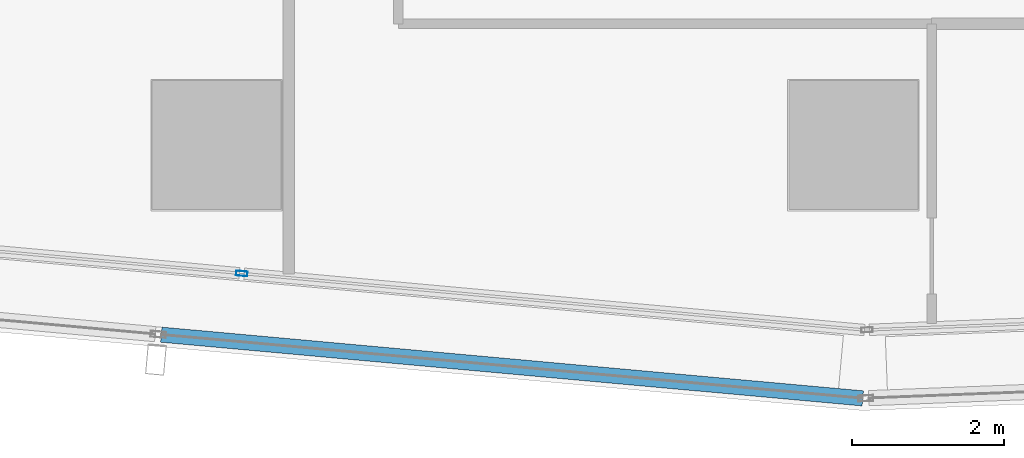
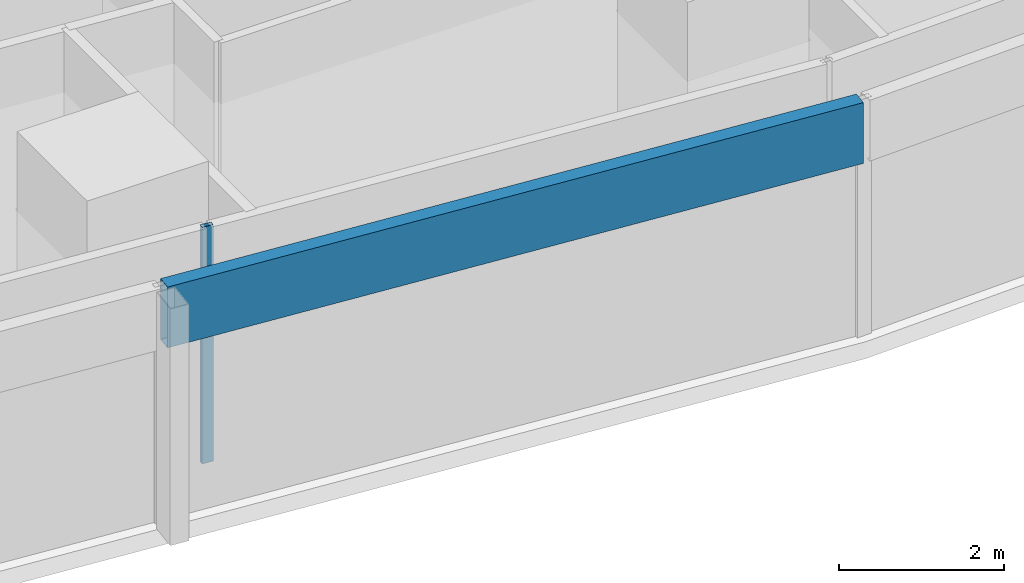
# One storey, part 3 of 40: 2 members, 2 elements without a shape of their own.
"""IFC4 building model written with IfcOpenShell, lengths in metres."""

from ifc_helpers import new_model, si_unit, direction, frame, origin, origin_2d, place, context, subcontext, project, spatial, hollow_rectangle, extrude, material, material_profile, profile_set, type_object, element, aggregate, save


model = new_model("IFC4")

# Units and contexts
model_context = context("Model", 3, precision=1e-05, world=origin(), true_north=direction((0.0, 1.0)))
body_context = subcontext(model_context, "Body", "Model", "MODEL_VIEW")
ifc_project = project(units=[si_unit("LENGTHUNIT", "METRE"), si_unit("AREAUNIT", "SQUARE_METRE"), si_unit("VOLUMEUNIT", "CUBIC_METRE"), si_unit("PLANEANGLEUNIT", "RADIAN"), si_unit("MASSUNIT", "GRAM", prefix="KILO")], contexts=[model_context])

# Site, building, storey
site_placement = place(None, origin())
site = spatial("IfcSite", under=ifc_project, at=site_placement, CompositionType="ELEMENT")
building_placement = place(site_placement, origin())
building = spatial("IfcBuilding", under=site, at=building_placement, Name="Rekha Terrace Tower", CompositionType="ELEMENT")
storey_placement = place(building_placement, frame((0.0, 0.0, 102.800048828125)))
storey = spatial("IfcBuildingStorey", under=building, at=storey_placement, Name="L25", CompositionType="ELEMENT", Elevation=102.800048828125)

# Curtain wall, member
ifc_material_1 = material(Name="Aluminium framing", Category="aluminium")
curtain_wall_type_1 = type_object("IfcCurtainWallType", Name="CW1 double skin inner glazing", PredefinedType="USERDEFINED", material=ifc_material_1)
curtain_wall_1_placement = place(storey_placement, origin())
curtain_wall_1 = element("IfcCurtainWall", 1, at=curtain_wall_1_placement, inside=storey, type_object=curtain_wall_type_1, Name="CW1 double skin inner glazing", ObjectType="DOUBLE SKIN INNER GLAZING", PredefinedType="USERDEFINED")
ifc_material_2 = material(Name="Aluminium mullion section", Category="aluminium")
ifc_material_profile_1 = material_profile(ifc_material_2, hollow_rectangle(XDim=0.06494140625, YDim=0.14990234375, WallThickness=0.00390625, at=origin_2d()), Name="AL RHS 65x150")
ifc_profile_set_1 = profile_set([ifc_material_profile_1], Name="Aluminium mullion section")
member_type_1 = type_object("IfcMemberType", Name="CW1 mullion RHS 65 x 150", PredefinedType="MULLION", material=ifc_profile_set_1)
member_1_placement = place(storey_placement, frame((17.13427734375, 15.107666015625, 0.0), z_axis=(0.0, 0.0, 1.0), x_axis=(0.090439811381, 0.995901923142, 0.0)))
member_1 = element("IfcMember", 2, at=member_1_placement, type_object=member_type_1, Name="CW1 mullion 2", PredefinedType="MULLION", context=body_context, shape_type="SweptSolid", body=[
    extrude(hollow_rectangle(XDim=0.06494140625, YDim=0.14990234375, WallThickness=0.00390625, at=origin_2d()), origin(), (0.0, 0.0, 1.0), 3.5),
])
aggregate(curtain_wall_1, [member_1])

curtain_wall_type_2 = type_object("IfcCurtainWallType", Name="CW2 double skin outer glazing", PredefinedType="USERDEFINED", material=ifc_material_1)
curtain_wall_2_placement = place(storey_placement, origin())
curtain_wall_2 = element("IfcCurtainWall", 3, at=curtain_wall_2_placement, inside=storey, type_object=curtain_wall_type_2, Name="CW2 double skin outer glazing", ObjectType="DOUBLE SKIN OUTER GLAZING", PredefinedType="USERDEFINED")
ifc_material_3 = material(Name="Insulated aluminium spandrel box", Category="aluminium")
ifc_material_profile_2 = material_profile(ifc_material_3, hollow_rectangle(XDim=0.199951171875, YDim=0.89990234375, WallThickness=0.0029296875, at=origin_2d()), Name="AL SPANDREL BOX 200x900")
ifc_profile_set_2 = profile_set([ifc_material_profile_2], Name="Insulated aluminium spandrel box")
member_type_2 = type_object("IfcMemberType", Name="CW2 spandrel transom 200 x 900", PredefinedType="USERDEFINED", material=ifc_profile_set_2)
member_2_placement = place(storey_placement, frame((16.072265625, 14.300537109375, 3.050048828125), z_axis=(0.995900527097, -0.090455182982, 0.0), x_axis=(0.090455182982, 0.995900527097, 0.0)))
member_2 = element("IfcMember", 4, at=member_2_placement, type_object=member_type_2, Name="CW2 spandrel transom 2", ObjectType="TRANSOM", PredefinedType="USERDEFINED", context=body_context, shape_type="SweptSolid", body=[
    extrude(hollow_rectangle(XDim=0.199951171875, YDim=0.89990234375, WallThickness=0.0029296875, at=origin_2d()), origin(), (0.0, 0.0, 1.0), 9.2900390625),
])
aggregate(curtain_wall_2, [member_2])

save(model, "model.ifc")
